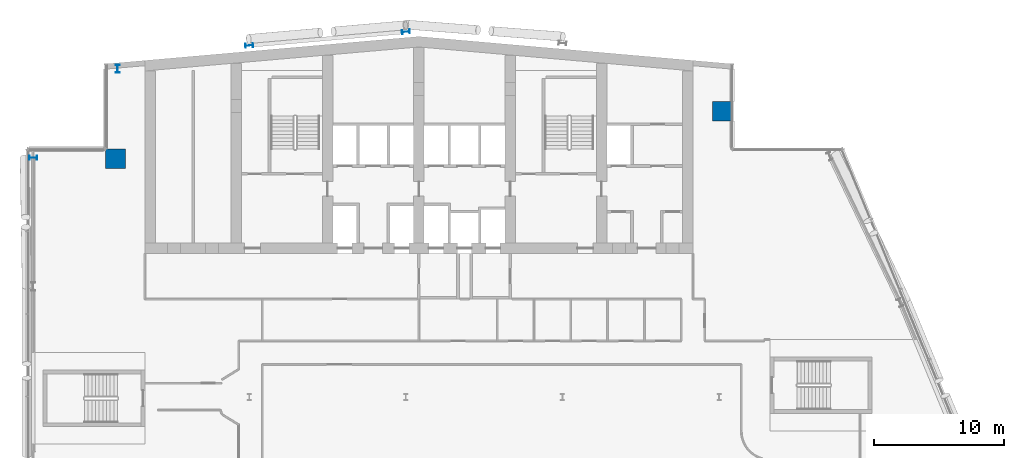
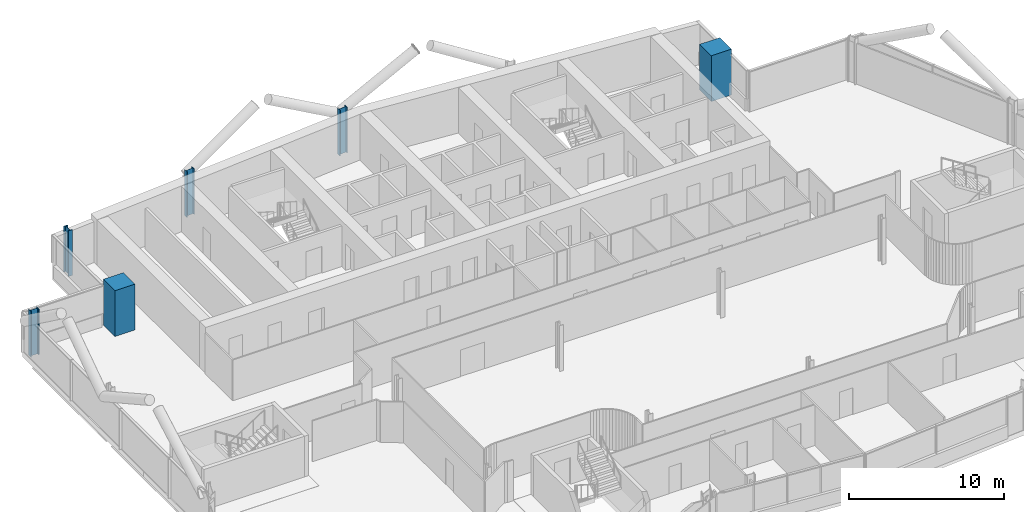
# One storey, part 3 of 29: 6 columns.
"""IFC4 building model written with IfcOpenShell, lengths in metres."""

import ifcopenshell
import ifcopenshell.guid

model = None  # the IFC model being written
_history = None  # IfcOwnerHistory: only IFC2X3 demands one
_inside = {}  # id of a spatial element -> (the spatial element, [elements in it])
_under = {}  # id of a project, library or spatial element -> (it, [spatial elements below it])
_declared = {}  # id of a project -> (the project, [libraries it declares])
_typed = {}  # id of a type object -> (the type object, [elements of that type])
_made_of = {}  # id of a material, layer set ... -> (it, [elements and type objects made of it])


def new_model(schema):
    """Start an empty IFC model of exactly this schema.

    Asked for "IFC4X3", IfcOpenShell would pick the latest addendum, in which some entities
    have other attributes; the version numbers below select the first issue.
    IFC2X3 requires an IfcOwnerHistory on every rooted entity: one is made here for all.
    """
    global model, _history
    if schema == "IFC4X3":
        model = ifcopenshell.file(schema_version=(4, 3, 0, 0))
    else:
        model = ifcopenshell.file(schema=schema)
    _inside.clear()
    _under.clear()
    _declared.clear()
    _typed.clear()
    _made_of.clear()
    _history = None
    if model.schema == "IFC2X3":
        org = make("IfcOrganization", Name="unknown")
        user = make(
            "IfcPersonAndOrganization",
            ThePerson=make("IfcPerson", FamilyName="unknown"),
            TheOrganization=org,
        )
        app = make(
            "IfcApplication",
            ApplicationDeveloper=org,
            Version="unknown",
            ApplicationFullName="unknown",
            ApplicationIdentifier="unknown",
        )
        _history = make(
            "IfcOwnerHistory",
            OwningUser=user,
            OwningApplication=app,
            ChangeAction="ADDED",
            CreationDate=0,
        )
    return model


def make(cls, **values):
    """One entity of the class cls with the attributes given. An attribute that is None is left unset."""
    return model.create_entity(
        cls, **{name: value for name, value in values.items() if value is not None}
    )


def rooted(cls, **values):
    """An entity with a GlobalId (a new one), such as an element, a storey or a relation."""
    return make(cls, GlobalId=ifcopenshell.guid.new(), OwnerHistory=_history, **values)


def si_unit(unit_type, name, prefix=None):
    """IfcSIUnit, for example si_unit("LENGTHUNIT", "METRE", prefix="MILLI")."""
    return make("IfcSIUnit", UnitType=unit_type, Prefix=prefix, Name=name)


def assignment(units):
    """IfcUnitAssignment: the units of a project."""
    return None if units is None else make("IfcUnitAssignment", Units=units)


def point(xyz):
    """IfcCartesianPoint."""
    return None if xyz is None else make("IfcCartesianPoint", Coordinates=xyz)


def direction(xyz):
    """IfcDirection."""
    return None if xyz is None else make("IfcDirection", DirectionRatios=xyz)


def frame(location, z_axis=None, x_axis=None):
    """IfcAxis2Placement3D, a coordinate frame: its origin and axes. An axis left out is left unset."""
    return make(
        "IfcAxis2Placement3D",
        Location=point(location),
        Axis=direction(z_axis),
        RefDirection=direction(x_axis),
    )


def frame_2d(location, x_axis=None):
    """IfcAxis2Placement2D, a coordinate frame in the plane: its origin and x axis."""
    return make(
        "IfcAxis2Placement2D", Location=point(location), RefDirection=direction(x_axis)
    )


def origin():
    """The frame at (0, 0, 0) with its axes left unset."""
    return frame((0.0, 0.0, 0.0))


def origin_2d():
    """The frame at (0, 0) in the plane with its x axis left unset."""
    return frame_2d((0.0, 0.0))


def place(relative_to, where):
    """IfcLocalPlacement: puts the frame where relative to a parent placement (None: the world)."""
    return make(
        "IfcLocalPlacement", PlacementRelTo=relative_to, RelativePlacement=where
    )


def context(
    kind, dimensions, precision=None, world=None, true_north=None, identifier=None
):
    """IfcGeometricRepresentationContext, for example the 3D "Model" context."""
    return make(
        "IfcGeometricRepresentationContext",
        ContextIdentifier=identifier,
        ContextType=kind,
        CoordinateSpaceDimension=dimensions,
        Precision=precision,
        WorldCoordinateSystem=world,
        TrueNorth=true_north,
    )


def subcontext(parent, identifier, kind, view, scale=None):
    """IfcGeometricRepresentationSubContext, for example "Body" below "Model"."""
    return make(
        "IfcGeometricRepresentationSubContext",
        ContextIdentifier=identifier,
        ContextType=kind,
        ParentContext=parent,
        TargetScale=scale,
        TargetView=view,
    )


def project(units=None, contexts=None):
    """IfcProject with its units and contexts."""
    return rooted(
        "IfcProject",
        Name="project",
        RepresentationContexts=contexts,
        UnitsInContext=assignment(units),
    )


def spatial(cls, under=None, at=None, **own):
    """A site, building, storey or space (cls), placed at a placement, below another one or the project."""
    s = rooted(cls, ObjectPlacement=at, **own)
    if under is not None:
        _under.setdefault(under.id(), (under, []))[1].append(s)
    return s


def profile(cls, at=None, kind="AREA", **sizes):
    """A parametric profile (cls). Its sizes go by their IFC names, for example OverallWidth=200.0."""
    return make(cls, ProfileType=kind, Position=at, **sizes)


def rectangle(**sizes):
    """IfcRectangleProfileDef."""
    return profile("IfcRectangleProfileDef", **sizes)


def i_section(**sizes):
    """IfcIShapeProfileDef."""
    return profile("IfcIShapeProfileDef", **sizes)


def extrude(swept, where, along, depth):
    """IfcExtrudedAreaSolid: the profile swept, set in the frame where, extruded along a direction by depth."""
    return make(
        "IfcExtrudedAreaSolid",
        SweptArea=swept,
        Position=where,
        ExtrudedDirection=direction(along),
        Depth=depth,
    )


def shape(context_of_items, identifier, shape_type, items):
    """IfcShapeRepresentation: the items that make up one representation, for example the "Body"."""
    return make(
        "IfcShapeRepresentation",
        ContextOfItems=context_of_items,
        RepresentationIdentifier=identifier,
        RepresentationType=shape_type,
        Items=items,
    )


def material(Name=None, Category=None):
    """IfcMaterial."""
    return make("IfcMaterial", Name=Name, Category=Category)


def material_profile(
    of_material, cross_section, Name=None, Category=None, Priority=None
):
    """IfcMaterialProfile: a cross section and its material."""
    return make(
        "IfcMaterialProfile",
        Name=Name,
        Material=of_material,
        Profile=cross_section,
        Priority=Priority,
        Category=Category,
    )


def profile_set(profiles, Name=None, composite=None):
    """IfcMaterialProfileSet."""
    return make(
        "IfcMaterialProfileSet",
        Name=Name,
        MaterialProfiles=profiles,
        CompositeProfile=composite,
    )


def made_of(thing, what):
    """Note that an element or type object is made of a material, layer set ...; save() writes the relation."""
    if what is not None:
        _made_of.setdefault(what.id(), (what, []))[1].append(thing)
    return thing


def type_object(cls, material=None, **own):
    """A type object (cls), such as IfcWallType, which elements share."""
    return made_of(rooted(cls, **own), material)


def element(
    cls,
    number,
    at=None,
    inside=None,
    cuts=None,
    type_object=None,
    material=None,
    context=None,
    identifier="Body",
    shape_type=None,
    held_by="IfcProductDefinitionShape",
    body=None,
    shapes=None,
    **own,
):
    """One element of the class cls, such as IfcWall. Its Tag is "e" and its number.

    at: its placement. inside: the storey or other place that contains it. cuts: it is an
    opening in that element (IfcRelVoidsElement). A single representation is given by context,
    identifier, shape_type and body (its items); several are given by shapes. held_by: the class
    of the entity that holds the representations. save() writes the other relations.
    """
    e = rooted(cls, Tag="e%d" % number, ObjectPlacement=at, **own)
    if body is not None:
        shapes = [shape(context, identifier, shape_type, body)]
    if shapes is not None:
        e.Representation = make(held_by, Representations=shapes)
    if inside is not None:
        _inside.setdefault(inside.id(), (inside, []))[1].append(e)
    if cuts is not None:
        rooted(
            "IfcRelVoidsElement", RelatingBuildingElement=cuts, RelatedOpeningElement=e
        )
    if type_object is not None:
        _typed.setdefault(type_object.id(), (type_object, []))[1].append(e)
    return made_of(e, material)


def aggregate(whole, parts):
    """IfcRelAggregates: a whole, such as a stair, and the parts it consists of."""
    return rooted("IfcRelAggregates", RelatingObject=whole, RelatedObjects=parts)


def save(model, path):
    """Write the relations noted so far, then the file.

    IfcRelAggregates (storeys below a building ...), IfcRelContainedInSpatialStructure (elements
    in a storey), IfcRelDefinesByType, IfcRelAssociatesMaterial and IfcRelDeclares: one each for
    every whole, place, type object, material and project.
    """
    for whole, parts in _under.values():
        aggregate(whole, parts)
    for where, things in _inside.values():
        rooted(
            "IfcRelContainedInSpatialStructure",
            RelatedElements=things,
            RelatingStructure=where,
        )
    for kind, things in _typed.values():
        rooted("IfcRelDefinesByType", RelatedObjects=things, RelatingType=kind)
    for what, things in _made_of.values():
        rooted("IfcRelAssociatesMaterial", RelatedObjects=things, RelatingMaterial=what)
    for by, libraries in _declared.values():
        rooted("IfcRelDeclares", RelatingContext=by, RelatedDefinitions=libraries)
    model.write(path)


model = new_model("IFC4")

# Units and contexts
model_context = context("Model", 3, precision=1e-05, world=origin(), true_north=direction((0.0, 1.0)))
body_context = subcontext(model_context, "Body", "Model", "MODEL_VIEW")
ifc_project = project(units=[si_unit("LENGTHUNIT", "METRE"), si_unit("AREAUNIT", "SQUARE_METRE"), si_unit("VOLUMEUNIT", "CUBIC_METRE"), si_unit("PLANEANGLEUNIT", "RADIAN"), si_unit("MASSUNIT", "GRAM", prefix="KILO")], contexts=[model_context])

# Site, building, storey
site_placement = place(None, origin())
site = spatial("IfcSite", under=ifc_project, at=site_placement, CompositionType="ELEMENT")
building_placement = place(site_placement, origin())
building = spatial("IfcBuilding", under=site, at=building_placement, Name="Wharfspan Tower", CompositionType="ELEMENT")
storey_placement = place(building_placement, frame((0.0, 0.0, 155.5)))
storey = spatial("IfcBuildingStorey", under=building, at=storey_placement, Name="L37", CompositionType="ELEMENT", Elevation=155.5)

# Columns
ifc_material_1 = material(Name="Steel S355J2", Category="steel")
ifc_material_profile_1 = material_profile(ifc_material_1, i_section(OverallWidth=0.300049, OverallDepth=0.600098, WebThickness=0.015381, FlangeThickness=0.030029, FilletRadius=0.0271, at=origin_2d()))
ifc_profile_set_1 = profile_set([ifc_material_profile_1], Name="Steel S355J2")
column_type_1 = type_object("IfcColumnType", Name="Column HEB 600", PredefinedType="COLUMN", material=ifc_profile_set_1)
for number, where, z_axis, x_axis, name in (
    (1, (24.0, 49.937256, 0.0), (0.0, 0.0, 1.0), (-0.087156, 0.996198, 0.0), "Rear column R.1 L37"),
    (2, (36.0, 50.987061, 0.0), (0.0, 0.0, 1.0), (-0.087156, 0.996198, 0.0), "Rear column R.2 L37"),
):
    element("IfcColumn", number, at=place(storey_placement, frame(where, z_axis=z_axis, x_axis=x_axis)), inside=storey, type_object=column_type_1, Name=name, PredefinedType="COLUMN", context=body_context, shape_type="SweptSolid", body=[
        extrude(i_section(OverallWidth=0.300049, OverallDepth=0.600098, WebThickness=0.015381, FlangeThickness=0.030029, FilletRadius=0.0271, at=origin_2d()), origin(), (0.0, 0.0, 1.0), 3.600098),
    ])
ifc_material_profile_2 = material_profile(ifc_material_1, i_section(OverallWidth=0.304932, OverallDepth=0.620117, WebThickness=0.020996, FlangeThickness=0.040039, FilletRadius=0.0271, at=origin_2d()))
ifc_profile_set_2 = profile_set([ifc_material_profile_2], Name="Steel S355J2")
column_type_2 = type_object("IfcColumnType", Name="Column HEM 600", PredefinedType="COLUMN", material=ifc_profile_set_2)
for number, where, z_axis, x_axis, name in (
    (3, (13.911133, 48.141113, 0.0), (0.0, 0.0, 1.0), (-1.0, 0.0, 0.0), "Perimeter column PNRW-V.1 L37"),
    (4, (7.450439, 41.333008, 0.0), (0.0, 0.0, 1.0), (0.0, 1.0, 0.0), "Perimeter column PNRW-H.1 L37"),
):
    element("IfcColumn", number, at=place(storey_placement, frame(where, z_axis=z_axis, x_axis=x_axis)), inside=storey, type_object=column_type_2, Name=name, PredefinedType="COLUMN", context=body_context, shape_type="SweptSolid", body=[
        extrude(i_section(OverallWidth=0.304932, OverallDepth=0.620117, WebThickness=0.020996, FlangeThickness=0.040039, FilletRadius=0.0271, at=origin_2d()), origin(), (0.0, 0.0, 1.0), 3.600098),
    ])
ifc_material_2 = material(Name="Concrete C60/75", Category="concrete")
ifc_material_profile_3 = material_profile(ifc_material_2, rectangle(XDim=1.5, YDim=1.5, at=origin_2d()))
ifc_profile_set_3 = profile_set([ifc_material_profile_3], Name="Concrete C60/75")
column_type_3 = type_object("IfcColumnType", Name="Mega column 1500 C60/75", PredefinedType="COLUMN", material=ifc_profile_set_3)
for number, where, z_axis, x_axis, name in (
    (5, (13.75, 41.25, 0.0), (0.0, 0.0, 1.0), (1.0, 0.0, 0.0), "Mega column MC2 L37"),
    (6, (60.25, 44.899902, 0.0), (0.0, 0.0, 1.0), (1.0, 0.0, 0.0), "Mega column MC3 L37"),
):
    element("IfcColumn", number, at=place(storey_placement, frame(where, z_axis=z_axis, x_axis=x_axis)), inside=storey, type_object=column_type_3, Name=name, PredefinedType="COLUMN", context=body_context, shape_type="SweptSolid", body=[
        extrude(rectangle(XDim=1.5, YDim=1.5, at=origin_2d()), origin(), (0.0, 0.0, 1.0), 3.600098),
    ])

save(model, "model.ifc")
